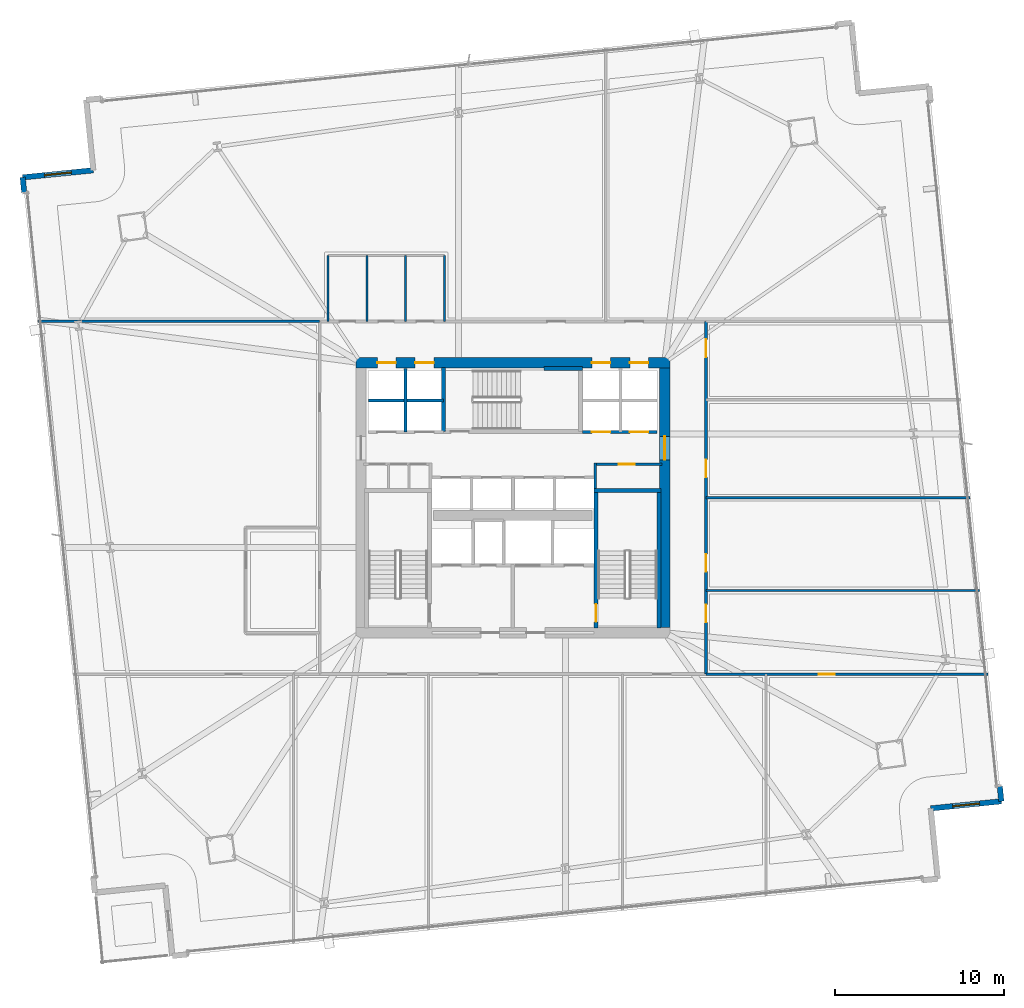
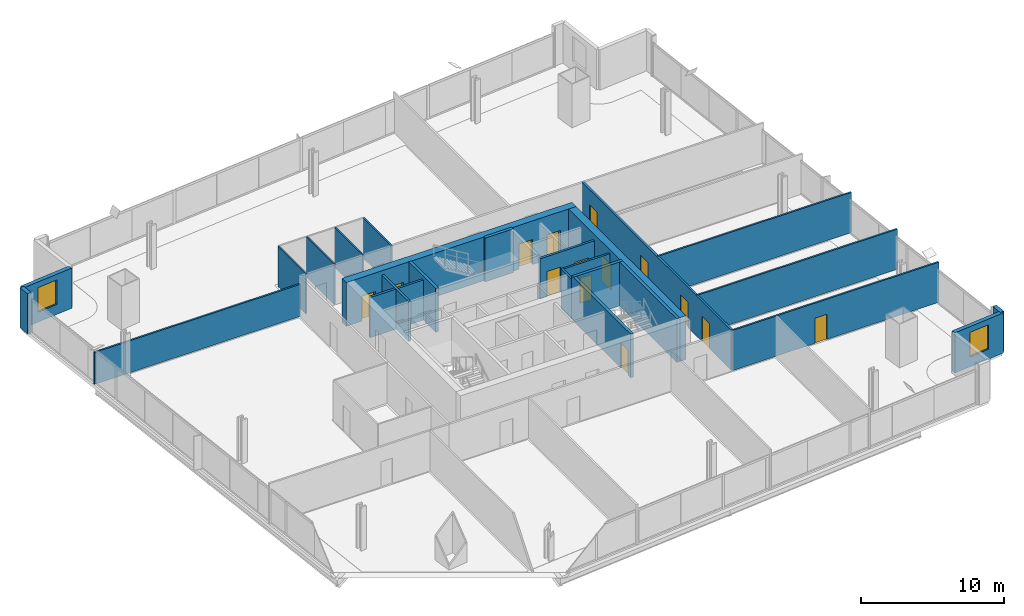
# One storey, part 27 of 33: 25 walls, 14 doors, 2 windows, 16 openings.
"""IFC4 building model written with IfcOpenShell, lengths in metres."""

import ifcopenshell
import ifcopenshell.guid

model = None  # the IFC model being written
_history = None  # IfcOwnerHistory: only IFC2X3 demands one
_inside = {}  # id of a spatial element -> (the spatial element, [elements in it])
_under = {}  # id of a project, library or spatial element -> (it, [spatial elements below it])
_declared = {}  # id of a project -> (the project, [libraries it declares])
_typed = {}  # id of a type object -> (the type object, [elements of that type])
_made_of = {}  # id of a material, layer set ... -> (it, [elements and type objects made of it])


def new_model(schema):
    """Start an empty IFC model of exactly this schema.

    Asked for "IFC4X3", IfcOpenShell would pick the latest addendum, in which some entities
    have other attributes; the version numbers below select the first issue.
    IFC2X3 requires an IfcOwnerHistory on every rooted entity: one is made here for all.
    """
    global model, _history
    if schema == "IFC4X3":
        model = ifcopenshell.file(schema_version=(4, 3, 0, 0))
    else:
        model = ifcopenshell.file(schema=schema)
    _inside.clear()
    _under.clear()
    _declared.clear()
    _typed.clear()
    _made_of.clear()
    _history = None
    if model.schema == "IFC2X3":
        org = make("IfcOrganization", Name="unknown")
        user = make(
            "IfcPersonAndOrganization",
            ThePerson=make("IfcPerson", FamilyName="unknown"),
            TheOrganization=org,
        )
        app = make(
            "IfcApplication",
            ApplicationDeveloper=org,
            Version="unknown",
            ApplicationFullName="unknown",
            ApplicationIdentifier="unknown",
        )
        _history = make(
            "IfcOwnerHistory",
            OwningUser=user,
            OwningApplication=app,
            ChangeAction="ADDED",
            CreationDate=0,
        )
    return model


def make(cls, **values):
    """One entity of the class cls with the attributes given. An attribute that is None is left unset."""
    return model.create_entity(
        cls, **{name: value for name, value in values.items() if value is not None}
    )


def rooted(cls, **values):
    """An entity with a GlobalId (a new one), such as an element, a storey or a relation."""
    return make(cls, GlobalId=ifcopenshell.guid.new(), OwnerHistory=_history, **values)


def si_unit(unit_type, name, prefix=None):
    """IfcSIUnit, for example si_unit("LENGTHUNIT", "METRE", prefix="MILLI")."""
    return make("IfcSIUnit", UnitType=unit_type, Prefix=prefix, Name=name)


def assignment(units):
    """IfcUnitAssignment: the units of a project."""
    return None if units is None else make("IfcUnitAssignment", Units=units)


def point(xyz):
    """IfcCartesianPoint."""
    return None if xyz is None else make("IfcCartesianPoint", Coordinates=xyz)


def direction(xyz):
    """IfcDirection."""
    return None if xyz is None else make("IfcDirection", DirectionRatios=xyz)


def frame(location, z_axis=None, x_axis=None):
    """IfcAxis2Placement3D, a coordinate frame: its origin and axes. An axis left out is left unset."""
    return make(
        "IfcAxis2Placement3D",
        Location=point(location),
        Axis=direction(z_axis),
        RefDirection=direction(x_axis),
    )


def frame_2d(location, x_axis=None):
    """IfcAxis2Placement2D, a coordinate frame in the plane: its origin and x axis."""
    return make(
        "IfcAxis2Placement2D", Location=point(location), RefDirection=direction(x_axis)
    )


def origin():
    """The frame at (0, 0, 0) with its axes left unset."""
    return frame((0.0, 0.0, 0.0))


def place(relative_to, where):
    """IfcLocalPlacement: puts the frame where relative to a parent placement (None: the world)."""
    return make(
        "IfcLocalPlacement", PlacementRelTo=relative_to, RelativePlacement=where
    )


def context(
    kind, dimensions, precision=None, world=None, true_north=None, identifier=None
):
    """IfcGeometricRepresentationContext, for example the 3D "Model" context."""
    return make(
        "IfcGeometricRepresentationContext",
        ContextIdentifier=identifier,
        ContextType=kind,
        CoordinateSpaceDimension=dimensions,
        Precision=precision,
        WorldCoordinateSystem=world,
        TrueNorth=true_north,
    )


def subcontext(parent, identifier, kind, view, scale=None):
    """IfcGeometricRepresentationSubContext, for example "Body" below "Model"."""
    return make(
        "IfcGeometricRepresentationSubContext",
        ContextIdentifier=identifier,
        ContextType=kind,
        ParentContext=parent,
        TargetScale=scale,
        TargetView=view,
    )


def project(units=None, contexts=None):
    """IfcProject with its units and contexts."""
    return rooted(
        "IfcProject",
        Name="project",
        RepresentationContexts=contexts,
        UnitsInContext=assignment(units),
    )


def spatial(cls, under=None, at=None, **own):
    """A site, building, storey or space (cls), placed at a placement, below another one or the project."""
    s = rooted(cls, ObjectPlacement=at, **own)
    if under is not None:
        _under.setdefault(under.id(), (under, []))[1].append(s)
    return s


def profile(cls, at=None, kind="AREA", **sizes):
    """A parametric profile (cls). Its sizes go by their IFC names, for example OverallWidth=200.0."""
    return make(cls, ProfileType=kind, Position=at, **sizes)


def rectangle(**sizes):
    """IfcRectangleProfileDef."""
    return profile("IfcRectangleProfileDef", **sizes)


def extrude(swept, where, along, depth):
    """IfcExtrudedAreaSolid: the profile swept, set in the frame where, extruded along a direction by depth."""
    return make(
        "IfcExtrudedAreaSolid",
        SweptArea=swept,
        Position=where,
        ExtrudedDirection=direction(along),
        Depth=depth,
    )


def shape(context_of_items, identifier, shape_type, items):
    """IfcShapeRepresentation: the items that make up one representation, for example the "Body"."""
    return make(
        "IfcShapeRepresentation",
        ContextOfItems=context_of_items,
        RepresentationIdentifier=identifier,
        RepresentationType=shape_type,
        Items=items,
    )


def material(Name=None, Category=None):
    """IfcMaterial."""
    return make("IfcMaterial", Name=Name, Category=Category)


def layer(
    of_material, thickness, ventilated=None, Name=None, Category=None, Priority=None
):
    """IfcMaterialLayer: one layer of a wall or slab, of a material (None: an air gap)."""
    return make(
        "IfcMaterialLayer",
        Material=of_material,
        LayerThickness=thickness,
        IsVentilated=ventilated,
        Name=Name,
        Category=Category,
        Priority=Priority,
    )


def layer_set(layers, Name=None):
    """IfcMaterialLayerSet."""
    return make("IfcMaterialLayerSet", MaterialLayers=layers, LayerSetName=Name)


def made_of(thing, what):
    """Note that an element or type object is made of a material, layer set ...; save() writes the relation."""
    if what is not None:
        _made_of.setdefault(what.id(), (what, []))[1].append(thing)
    return thing


def type_object(cls, material=None, **own):
    """A type object (cls), such as IfcWallType, which elements share."""
    return made_of(rooted(cls, **own), material)


def element(
    cls,
    number,
    at=None,
    inside=None,
    cuts=None,
    type_object=None,
    material=None,
    context=None,
    identifier="Body",
    shape_type=None,
    held_by="IfcProductDefinitionShape",
    body=None,
    shapes=None,
    **own,
):
    """One element of the class cls, such as IfcWall. Its Tag is "e" and its number.

    at: its placement. inside: the storey or other place that contains it. cuts: it is an
    opening in that element (IfcRelVoidsElement). A single representation is given by context,
    identifier, shape_type and body (its items); several are given by shapes. held_by: the class
    of the entity that holds the representations. save() writes the other relations.
    """
    e = rooted(cls, Tag="e%d" % number, ObjectPlacement=at, **own)
    if body is not None:
        shapes = [shape(context, identifier, shape_type, body)]
    if shapes is not None:
        e.Representation = make(held_by, Representations=shapes)
    if inside is not None:
        _inside.setdefault(inside.id(), (inside, []))[1].append(e)
    if cuts is not None:
        rooted(
            "IfcRelVoidsElement", RelatingBuildingElement=cuts, RelatedOpeningElement=e
        )
    if type_object is not None:
        _typed.setdefault(type_object.id(), (type_object, []))[1].append(e)
    return made_of(e, material)


def fill(opening, filler):
    """IfcRelFillsElement: the door or window that sits in an opening."""
    return rooted(
        "IfcRelFillsElement",
        RelatingOpeningElement=opening,
        RelatedBuildingElement=filler,
    )


def aggregate(whole, parts):
    """IfcRelAggregates: a whole, such as a stair, and the parts it consists of."""
    return rooted("IfcRelAggregates", RelatingObject=whole, RelatedObjects=parts)


def save(model, path):
    """Write the relations noted so far, then the file.

    IfcRelAggregates (storeys below a building ...), IfcRelContainedInSpatialStructure (elements
    in a storey), IfcRelDefinesByType, IfcRelAssociatesMaterial and IfcRelDeclares: one each for
    every whole, place, type object, material and project.
    """
    for whole, parts in _under.values():
        aggregate(whole, parts)
    for where, things in _inside.values():
        rooted(
            "IfcRelContainedInSpatialStructure",
            RelatedElements=things,
            RelatingStructure=where,
        )
    for kind, things in _typed.values():
        rooted("IfcRelDefinesByType", RelatedObjects=things, RelatingType=kind)
    for what, things in _made_of.values():
        rooted("IfcRelAssociatesMaterial", RelatedObjects=things, RelatingMaterial=what)
    for by, libraries in _declared.values():
        rooted("IfcRelDeclares", RelatingContext=by, RelatedDefinitions=libraries)
    model.write(path)


model = new_model("IFC4")

# Units and contexts
model_context = context("Model", 3, precision=1e-05, world=origin(), true_north=direction((0.0, 1.0)))
body_context = subcontext(model_context, "Body", "Model", "MODEL_VIEW")
ifc_project = project(units=[si_unit("LENGTHUNIT", "METRE"), si_unit("AREAUNIT", "SQUARE_METRE"), si_unit("VOLUMEUNIT", "CUBIC_METRE"), si_unit("PLANEANGLEUNIT", "RADIAN"), si_unit("MASSUNIT", "GRAM", prefix="KILO")], contexts=[model_context])

# Site, building, storey
site_placement = place(None, origin())
site = spatial("IfcSite", under=ifc_project, at=site_placement, CompositionType="ELEMENT")
building_placement = place(site_placement, origin())
building = spatial("IfcBuilding", under=site, at=building_placement, Name="Haldenkirk Collegiate Tower", CompositionType="ELEMENT")
storey_placement = place(building_placement, frame((0.0, 0.0, 47.699951171875)))
storey = spatial("IfcBuildingStorey", under=building, at=storey_placement, Name="L10", CompositionType="ELEMENT", Elevation=47.699951171875)

# Wall, openings, doors
ifc_material_1 = material(Name="Concrete f'c 70 MPa", Category="concrete")
ifc_layer_1 = layer(ifc_material_1, 0.60009765625)
ifc_layer_set_1 = layer_set([ifc_layer_1], Name="Concrete f'c 70 MPa")
wall_type_1 = type_object("IfcWallType", Name="WL-CORE-600", PredefinedType="SHEAR", material=ifc_layer_set_1)
wall_1_placement = place(storey_placement, frame((26.699951171875, 34.0, 0.0), z_axis=(0.0, 0.0, 1.0), x_axis=(1.0, 0.0, 0.0)))
wall_1 = element("IfcWall", 1, at=wall_1_placement, inside=storey, type_object=wall_type_1, Name="L10 central core shear wall N", PredefinedType="SHEAR", context=body_context, shape_type="SweptSolid", body=[
    extrude(rectangle(XDim=18.60009765625, YDim=0.60009765625, at=frame_2d((9.300048828125, 0.0))), origin(), (0.0, 0.0, 1.0), 3.75),
])
opening_1_placement = place(wall_1_placement, frame((1.264892578125, 0.0, 0.0)))
opening_1 = element("IfcOpeningElement", 2, at=opening_1_placement, cuts=wall_1, Name="Opening LD-11", PredefinedType="OPENING", context=body_context, shape_type="SweptSolid", body=[
    extrude(rectangle(XDim=1.10009765625, YDim=2.14990234375, at=frame_2d((0.550048828125, 1.074951171875))), frame((0.0, 0.31005859375, 0.0), z_axis=(0.0, -1.0, 0.0), x_axis=(1.0, 0.0, 0.0)), (0.0, 0.0, 1.0), 0.6201171875),
])
opening_2_placement = place(wall_1_placement, frame((3.514892578125, 0.0, 0.0)))
opening_2 = element("IfcOpeningElement", 3, at=opening_2_placement, cuts=wall_1, Name="Opening LD-11", PredefinedType="OPENING", context=body_context, shape_type="SweptSolid", body=[
    extrude(rectangle(XDim=1.10009765625, YDim=2.14990234375, at=frame_2d((0.550048828125, 1.074951171875))), frame((0.0, 0.31005859375, 0.0), z_axis=(0.0, -1.0, 0.0), x_axis=(1.0, 0.0, 0.0)), (0.0, 0.0, 1.0), 0.6201171875),
])
opening_3_placement = place(wall_1_placement, frame((13.985107421875, 0.0, 0.0)))
opening_3 = element("IfcOpeningElement", 4, at=opening_3_placement, cuts=wall_1, Name="Opening LD-11", PredefinedType="OPENING", context=body_context, shape_type="SweptSolid", body=[
    extrude(rectangle(XDim=1.10009765625, YDim=2.14990234375, at=frame_2d((0.550048828125, 1.074951171875))), frame((0.0, 0.31005859375, 0.0), z_axis=(0.0, -1.0, 0.0), x_axis=(1.0, 0.0, 0.0)), (0.0, 0.0, 1.0), 0.6201171875),
])
opening_4_placement = place(wall_1_placement, frame((16.235107421875, 0.0, 0.0)))
opening_4 = element("IfcOpeningElement", 5, at=opening_4_placement, cuts=wall_1, Name="Opening LD-11", PredefinedType="OPENING", context=body_context, shape_type="SweptSolid", body=[
    extrude(rectangle(XDim=1.10009765625, YDim=2.14990234375, at=frame_2d((0.550048828125, 1.074951171875))), frame((0.0, 0.31005859375, 0.0), z_axis=(0.0, -1.0, 0.0), x_axis=(1.0, 0.0, 0.0)), (0.0, 0.0, 1.0), 0.6201171875),
])
ifc_material_2 = material(Name="Brushed architectural stainless steel", Category="steel")
ifc_layer_2 = layer(ifc_material_2, 0.06005859375)
ifc_layer_set_2 = layer_set([ifc_layer_2], Name="Brushed architectural stainless steel")
door_type_1 = type_object("IfcDoorType", Name="LD-PASS-1100", OperationType="NOTDEFINED", PredefinedType="DOOR", material=ifc_layer_set_2)
door_1_placement = place(opening_1_placement, origin())
door_1 = element("IfcDoor", 6, at=door_1_placement, inside=storey, type_object=door_type_1, Name="L10 Elevator PL3 sliding landing door", OperationType="SLIDING_TO_LEFT", OverallHeight=2.14990234375, OverallWidth=1.10009765625, PredefinedType="DOOR", context=body_context, shape_type="SweptSolid", body=[
    extrude(rectangle(XDim=1.10009765625, YDim=2.14990234375, at=frame_2d((0.550048828125, 1.074951171875))), frame((0.0, 0.02490234375, 0.0), z_axis=(0.0, -1.0, 0.0), x_axis=(1.0, 0.0, 0.0)), (0.0, 0.0, 1.0), 0.050048828125),
])
fill(opening_1, door_1)
door_2_placement = place(opening_2_placement, origin())
door_2 = element("IfcDoor", 7, at=door_2_placement, inside=storey, type_object=door_type_1, Name="L10 Elevator PL4 sliding landing door", OperationType="SLIDING_TO_LEFT", OverallHeight=2.14990234375, OverallWidth=1.10009765625, PredefinedType="DOOR", context=body_context, shape_type="SweptSolid", body=[
    extrude(rectangle(XDim=1.10009765625, YDim=2.14990234375, at=frame_2d((0.550048828125, 1.074951171875))), frame((0.0, 0.02490234375, 0.0), z_axis=(0.0, -1.0, 0.0), x_axis=(1.0, 0.0, 0.0)), (0.0, 0.0, 1.0), 0.050048828125),
])
fill(opening_2, door_2)
door_3_placement = place(opening_3_placement, origin())
door_3 = element("IfcDoor", 8, at=door_3_placement, inside=storey, type_object=door_type_1, Name="L10 Elevator PM3 sliding landing door", OperationType="SLIDING_TO_LEFT", OverallHeight=2.14990234375, OverallWidth=1.10009765625, PredefinedType="DOOR", context=body_context, shape_type="SweptSolid", body=[
    extrude(rectangle(XDim=1.10009765625, YDim=2.14990234375, at=frame_2d((0.550048828125, 1.074951171875))), frame((0.0, 0.02490234375, 0.0), z_axis=(0.0, -1.0, 0.0), x_axis=(1.0, 0.0, 0.0)), (0.0, 0.0, 1.0), 0.050048828125),
])
fill(opening_3, door_3)
door_4_placement = place(opening_4_placement, origin())
door_4 = element("IfcDoor", 9, at=door_4_placement, inside=storey, type_object=door_type_1, Name="L10 Elevator PM4 sliding landing door", OperationType="SLIDING_TO_LEFT", OverallHeight=2.14990234375, OverallWidth=1.10009765625, PredefinedType="DOOR", context=body_context, shape_type="SweptSolid", body=[
    extrude(rectangle(XDim=1.10009765625, YDim=2.14990234375, at=frame_2d((0.550048828125, 1.074951171875))), frame((0.0, 0.02490234375, 0.0), z_axis=(0.0, -1.0, 0.0), x_axis=(1.0, 0.0, 0.0)), (0.0, 0.0, 1.0), 0.050048828125),
])
fill(opening_4, door_4)

# Wall, opening, door
wall_2_placement = place(storey_placement, frame((45.0, 18.300048828125, 0.0), z_axis=(0.0, 0.0, 1.0), x_axis=(0.0, 1.0, 0.0)))
wall_2 = element("IfcWall", 10, at=wall_2_placement, inside=storey, type_object=wall_type_1, Name="L10 central core shear wall E", PredefinedType="SHEAR", context=body_context, shape_type="SweptSolid", body=[
    extrude(rectangle(XDim=15.39990234375, YDim=0.60009765625, at=frame_2d((7.699951171875, 0.0))), origin(), (0.0, 0.0, 1.0), 3.75),
])
opening_5_placement = place(wall_2_placement, frame((9.93994140625, 0.0, 0.0)))
opening_5 = element("IfcOpeningElement", 11, at=opening_5_placement, cuts=wall_2, Name="Opening D-03", PredefinedType="OPENING", context=body_context, shape_type="SweptSolid", body=[
    extrude(rectangle(XDim=1.39990234375, YDim=2.199951171875, at=frame_2d((0.699951171875, 1.10009765625))), frame((0.0, 0.31005859375, 0.0), z_axis=(0.0, -1.0, 0.0), x_axis=(1.0, 0.0, 0.0)), (0.0, 0.0, 1.0), 0.6201171875),
])
ifc_material_3 = material(Name="Galvanized fire-rated hollow steel door", Category="steel")
ifc_layer_3 = layer(ifc_material_3, 0.06005859375)
ifc_layer_set_3 = layer_set([ifc_layer_3], Name="Galvanized fire-rated hollow steel door")
door_type_2 = type_object("IfcDoorType", Name="DR-LOBBY-FD90-1400", OperationType="NOTDEFINED", PredefinedType="DOOR", material=ifc_layer_set_3)
door_5_placement = place(opening_5_placement, origin())
door_5 = element("IfcDoor", 12, at=door_5_placement, inside=storey, type_object=door_type_2, Name="L10 east lift lobby portal", OperationType="DOUBLE_DOOR_SINGLE_SWING", OverallHeight=2.199951171875, OverallWidth=1.39990234375, PredefinedType="DOOR", context=body_context, shape_type="SweptSolid", body=[
    extrude(rectangle(XDim=1.39990234375, YDim=2.199951171875, at=frame_2d((0.699951171875, 1.10009765625))), frame((0.0, 0.02490234375, 0.0), z_axis=(0.0, -1.0, 0.0), x_axis=(1.0, 0.0, 0.0)), (0.0, 0.0, 1.0), 0.050048828125),
])
fill(opening_5, door_5)

# Wall, opening, window
ifc_material_4 = material(Name="Precast concrete f'c 40 MPa", Category="concrete")
ifc_layer_4 = layer(ifc_material_4, 0.320068359375)
ifc_layer_set_4 = layer_set([ifc_layer_4], Name="Precast concrete f'c 40 MPa")
wall_type_2 = type_object("IfcWallType", Name="WL-EXT-TWR-320", PredefinedType="STANDARD", material=ifc_layer_set_4)
wall_3_placement = place(storey_placement, frame((64.947998046875, 8.009765625, 0.0), z_axis=(0.0, 0.0, 1.0), x_axis=(-0.994965565847, -0.10021737763, 0.0)))
wall_3 = element("IfcWall", 13, at=wall_3_placement, inside=storey, type_object=wall_type_2, Name="L10 bronze precast notch wall 03", PredefinedType="STANDARD", context=body_context, shape_type="SweptSolid", body=[
    extrude(rectangle(XDim=4.199951171875, YDim=0.320068359375, at=frame_2d((2.10009765625, 0.0))), origin(), (0.0, 0.0, 1.0), 3.43994140625),
])
opening_6_placement = place(wall_3_placement, frame((1.300048828125, 0.0, 0.85009765625)))
opening_6 = element("IfcOpeningElement", 14, at=opening_6_placement, cuts=wall_3, Name="Opening W-03", PredefinedType="OPENING", context=body_context, shape_type="SweptSolid", body=[
    extrude(rectangle(XDim=1.60009765625, YDim=2.10009765625, at=frame_2d((0.800048828125, 1.050048828125))), frame((0.0, 0.169921875, 0.0), z_axis=(0.0, -1.0, 0.0), x_axis=(1.0, 0.0, 0.0)), (0.0, 0.0, 1.0), 0.340087890625),
])
ifc_material_5 = material(Name="Low-E argon triple insulating glass", Category="glass")
ifc_layer_5 = layer(ifc_material_5, 0.090087890625)
ifc_layer_set_5 = layer_set([ifc_layer_5], Name="Low-E argon triple insulating glass")
window_type = type_object("IfcWindowType", Name="WN-Z1-1600X2100", PartitioningType="SINGLE_PANEL", PredefinedType="WINDOW", material=ifc_layer_set_5)
window_1_placement = place(opening_6_placement, origin())
window_1 = element("IfcWindow", 15, at=window_1_placement, inside=storey, type_object=window_type, Name="L10 precast-frame academic window 2", OverallHeight=2.10009765625, OverallWidth=1.60009765625, PartitioningType="SINGLE_PANEL", PredefinedType="WINDOW", context=body_context, shape_type="SweptSolid", body=[
    extrude(rectangle(XDim=1.60009765625, YDim=2.10009765625, at=frame_2d((0.800048828125, 1.050048828125))), frame((0.0, 0.030029296875, 0.0), z_axis=(0.0, -1.0, 0.0), x_axis=(1.0, 0.0, 0.0)), (0.0, 0.0, 1.0), 0.06005859375),
])
fill(opening_6, window_1)

# Wall
wall_4_placement = place(storey_placement, frame((64.85791015625, 8.9052734375, 0.0), z_axis=(0.0, 0.0, 1.0), x_axis=(0.100094562617, -0.994977928667, 0.0)))
element("IfcWall", 16, at=wall_4_placement, inside=storey, type_object=wall_type_2, Name="L10 precast corner pier ER", PredefinedType="STANDARD", context=body_context, shape_type="SweptSolid", body=[
    extrude(rectangle(XDim=0.900146484375, YDim=0.320068359375, at=frame_2d((0.4501953125, 0.0))), origin(), (0.0, 0.0, 1.0), 3.43994140625),
])

# Wall, opening, window
wall_5_placement = place(storey_placement, frame((6.951904296875, 44.985107421875, 0.0), z_axis=(0.0, 0.0, 1.0), x_axis=(0.994965565847, 0.10021737763, 0.0)))
wall_5 = element("IfcWall", 17, at=wall_5_placement, inside=storey, type_object=wall_type_2, Name="L10 bronze precast notch wall 09", PredefinedType="STANDARD", context=body_context, shape_type="SweptSolid", body=[
    extrude(rectangle(XDim=4.199951171875, YDim=0.320068359375, at=frame_2d((2.10009765625, 0.0))), origin(), (0.0, 0.0, 1.0), 3.43994140625),
])
opening_7_placement = place(wall_5_placement, frame((1.300048828125, 0.0, 0.85009765625)))
opening_7 = element("IfcOpeningElement", 18, at=opening_7_placement, cuts=wall_5, Name="Opening W-03", PredefinedType="OPENING", context=body_context, shape_type="SweptSolid", body=[
    extrude(rectangle(XDim=1.60009765625, YDim=2.10009765625, at=frame_2d((0.800048828125, 1.050048828125))), frame((0.0, 0.169921875, 0.0), z_axis=(0.0, -1.0, 0.0), x_axis=(1.0, 0.0, 0.0)), (0.0, 0.0, 1.0), 0.340087890625),
])
window_2_placement = place(opening_7_placement, origin())
window_2 = element("IfcWindow", 19, at=window_2_placement, inside=storey, type_object=window_type, Name="L10 precast-frame academic window 8", OverallHeight=2.10009765625, OverallWidth=1.60009765625, PartitioningType="SINGLE_PANEL", PredefinedType="WINDOW", context=body_context, shape_type="SweptSolid", body=[
    extrude(rectangle(XDim=1.60009765625, YDim=2.10009765625, at=frame_2d((0.800048828125, 1.050048828125))), frame((0.0, 0.030029296875, 0.0), z_axis=(0.0, -1.0, 0.0), x_axis=(1.0, 0.0, 0.0)), (0.0, 0.0, 1.0), 0.06005859375),
])
fill(opening_7, window_2)

# Wall
wall_6_placement = place(storey_placement, frame((7.0419921875, 44.089599609375, 0.0), z_axis=(0.0, 0.0, 1.0), x_axis=(-0.100094562617, 0.994977928667, 0.0)))
element("IfcWall", 20, at=wall_6_placement, inside=storey, type_object=wall_type_2, Name="L10 precast corner pier WR", PredefinedType="STANDARD", context=body_context, shape_type="SweptSolid", body=[
    extrude(rectangle(XDim=0.900146484375, YDim=0.320068359375, at=frame_2d((0.4501953125, 0.0))), origin(), (0.0, 0.0, 1.0), 3.43994140625),
])

# Wall, opening, door
ifc_material_6 = material(Name="Acoustic fire-rated gypsum partition", Category="concrete")
ifc_layer_6 = layer(ifc_material_6, 0.159912109375)
ifc_layer_set_6 = layer_set([ifc_layer_6], Name="Acoustic fire-rated gypsum partition")
wall_type_3 = type_object("IfcWallType", Name="WL-INT-CORR-160", PredefinedType="PARTITIONING", material=ifc_layer_set_6)
wall_7_placement = place(storey_placement, frame((40.800048828125, 27.97998046875, 0.0), z_axis=(0.0, 0.0, 1.0), x_axis=(1.0, 0.0, 0.0)))
wall_7 = element("IfcWall", 21, at=wall_7_placement, inside=storey, type_object=wall_type_3, Name="L10 interior partition IW-L10-VCSE-N", PredefinedType="PARTITIONING", context=body_context, shape_type="SweptSolid", body=[
    extrude(rectangle(XDim=4.050048828125, YDim=0.159912109375, at=frame_2d((2.02490234375, 0.0))), origin(), (0.0, 0.0, 1.0), 3.43994140625),
])
opening_8_placement = place(wall_7_placement, frame((1.47509765625, 0.0, 0.0)))
opening_8 = element("IfcOpeningElement", 22, at=opening_8_placement, cuts=wall_7, Name="Opening D-10", PredefinedType="OPENING", context=body_context, shape_type="SweptSolid", body=[
    extrude(rectangle(XDim=0.949951171875, YDim=2.14990234375, at=frame_2d((0.47509765625, 1.074951171875))), frame((0.0, 0.08984375, 0.0), z_axis=(0.0, -1.0, 0.0), x_axis=(1.0, 0.0, 0.0)), (0.0, 0.0, 1.0), 0.179931640625),
])
ifc_material_7 = material(Name="Solid-core architectural oak fire door", Category="wood")
ifc_layer_7 = layer(ifc_material_7, 0.06005859375)
ifc_layer_set_7 = layer_set([ifc_layer_7], Name="Solid-core architectural oak fire door")
door_type_3 = type_object("IfcDoorType", Name="DR-INT-FD60-950", OperationType="NOTDEFINED", PredefinedType="DOOR", material=ifc_layer_set_7)
door_6_placement = place(opening_8_placement, origin())
door_6 = element("IfcDoor", 23, at=door_6_placement, inside=storey, type_object=door_type_3, Name="L10 core archive vault door", OperationType="SINGLE_SWING_RIGHT", OverallHeight=2.14990234375, OverallWidth=0.949951171875, PredefinedType="DOOR", context=body_context, shape_type="SweptSolid", body=[
    extrude(rectangle(XDim=0.949951171875, YDim=2.14990234375, at=frame_2d((0.47509765625, 1.074951171875))), frame((0.0, 0.02490234375, 0.0), z_axis=(0.0, -1.0, 0.0), x_axis=(1.0, 0.0, 0.0)), (0.0, 0.0, 1.0), 0.050048828125),
])
fill(opening_8, door_6)

# Wall
wall_8_placement = place(storey_placement, frame((40.8798828125, 26.5400390625, 0.0), z_axis=(0.0, 0.0, 1.0), x_axis=(0.0, 1.0, 0.0)))
element("IfcWall", 24, at=wall_8_placement, inside=storey, type_object=wall_type_3, Name="L10 interior partition IW-L10-VCSE-W", PredefinedType="PARTITIONING", context=body_context, shape_type="SweptSolid", body=[
    extrude(rectangle(XDim=1.510009765625, YDim=0.159912109375, at=frame_2d((0.7548828125, 0.0))), origin(), (0.0, 0.0, 1.0), 3.43994140625),
])

# Wall, openings, doors
wall_9_placement = place(storey_placement, frame((47.449951171875, 15.550048828125, 0.0), z_axis=(0.0, 0.0, 1.0), x_axis=(0.0, 1.0, 0.0)))
wall_9 = element("IfcWall", 25, at=wall_9_placement, inside=storey, type_object=wall_type_3, Name="L10 interior partition IW-L10-CE", PredefinedType="PARTITIONING", context=body_context, shape_type="SweptSolid", body=[
    extrude(rectangle(XDim=20.89990234375, YDim=0.159912109375, at=frame_2d((10.449951171875, 0.0))), origin(), (0.0, 0.0, 1.0), 3.43994140625),
])
opening_9_placement = place(wall_9_placement, frame((3.06689453125, 0.0, 0.0)))
opening_9 = element("IfcOpeningElement", 26, at=opening_9_placement, cuts=wall_9, Name="Opening D-09", PredefinedType="OPENING", context=body_context, shape_type="SweptSolid", body=[
    extrude(rectangle(XDim=1.050048828125, YDim=2.14990234375, at=frame_2d((0.52490234375, 1.074951171875))), frame((0.0, 0.08984375, 0.0), z_axis=(0.0, -1.0, 0.0), x_axis=(1.0, 0.0, 0.0)), (0.0, 0.0, 1.0), 0.179931640625),
])
opening_10_placement = place(wall_9_placement, frame((6.06494140625, 0.0, 0.0)))
opening_10 = element("IfcOpeningElement", 27, at=opening_10_placement, cuts=wall_9, Name="Opening D-09", PredefinedType="OPENING", context=body_context, shape_type="SweptSolid", body=[
    extrude(rectangle(XDim=1.050048828125, YDim=2.14990234375, at=frame_2d((0.52490234375, 1.074951171875))), frame((0.0, 0.08984375, 0.0), z_axis=(0.0, -1.0, 0.0), x_axis=(1.0, 0.0, 0.0)), (0.0, 0.0, 1.0), 0.179931640625),
])
opening_11_placement = place(wall_9_placement, frame((11.660888671875, 0.0, 0.0)))
opening_11 = element("IfcOpeningElement", 28, at=opening_11_placement, cuts=wall_9, Name="Opening D-09", PredefinedType="OPENING", context=body_context, shape_type="SweptSolid", body=[
    extrude(rectangle(XDim=1.050048828125, YDim=2.14990234375, at=frame_2d((0.52490234375, 1.074951171875))), frame((0.0, 0.08984375, 0.0), z_axis=(0.0, -1.0, 0.0), x_axis=(1.0, 0.0, 0.0)), (0.0, 0.0, 1.0), 0.179931640625),
])
opening_12_placement = place(wall_9_placement, frame((18.781005859375, 0.0, 0.0)))
opening_12 = element("IfcOpeningElement", 29, at=opening_12_placement, cuts=wall_9, Name="Opening D-09", PredefinedType="OPENING", context=body_context, shape_type="SweptSolid", body=[
    extrude(rectangle(XDim=1.050048828125, YDim=2.14990234375, at=frame_2d((0.52490234375, 1.074951171875))), frame((0.0, 0.08984375, 0.0), z_axis=(0.0, -1.0, 0.0), x_axis=(1.0, 0.0, 0.0)), (0.0, 0.0, 1.0), 0.179931640625),
])
ifc_layer_8 = layer(ifc_material_7, 0.06005859375)
ifc_layer_set_8 = layer_set([ifc_layer_8], Name="Solid-core architectural oak fire door")
door_type_4 = type_object("IfcDoorType", Name="DR-INT-FD60-1050", OperationType="NOTDEFINED", PredefinedType="DOOR", material=ifc_layer_set_8)
door_7_placement = place(opening_9_placement, origin())
door_7 = element("IfcDoor", 30, at=door_7_placement, inside=storey, type_object=door_type_4, Name="L10 Robotics Fabrication Lab 9 door", OperationType="SINGLE_SWING_RIGHT", OverallHeight=2.14990234375, OverallWidth=1.050048828125, PredefinedType="DOOR", context=body_context, shape_type="SweptSolid", body=[
    extrude(rectangle(XDim=1.050048828125, YDim=2.14990234375, at=frame_2d((0.52490234375, 1.074951171875))), frame((0.0, 0.02490234375, 0.0), z_axis=(0.0, -1.0, 0.0), x_axis=(1.0, 0.0, 0.0)), (0.0, 0.0, 1.0), 0.050048828125),
])
fill(opening_9, door_7)
door_8_placement = place(opening_10_placement, origin())
door_8 = element("IfcDoor", 31, at=door_8_placement, inside=storey, type_object=door_type_4, Name="L10 Environmental Lab 10 door", OperationType="SINGLE_SWING_LEFT", OverallHeight=2.14990234375, OverallWidth=1.050048828125, PredefinedType="DOOR", context=body_context, shape_type="SweptSolid", body=[
    extrude(rectangle(XDim=1.050048828125, YDim=2.14990234375, at=frame_2d((0.52490234375, 1.074951171875))), frame((0.0, 0.02490234375, 0.0), z_axis=(0.0, -1.0, 0.0), x_axis=(1.0, 0.0, 0.0)), (0.0, 0.0, 1.0), 0.050048828125),
])
fill(opening_10, door_8)
door_9_placement = place(opening_11_placement, origin())
door_9 = element("IfcDoor", 32, at=door_9_placement, inside=storey, type_object=door_type_4, Name="L10 Optics Research Laboratory 11 door", OperationType="SINGLE_SWING_RIGHT", OverallHeight=2.14990234375, OverallWidth=1.050048828125, PredefinedType="DOOR", context=body_context, shape_type="SweptSolid", body=[
    extrude(rectangle(XDim=1.050048828125, YDim=2.14990234375, at=frame_2d((0.52490234375, 1.074951171875))), frame((0.0, 0.02490234375, 0.0), z_axis=(0.0, -1.0, 0.0), x_axis=(1.0, 0.0, 0.0)), (0.0, 0.0, 1.0), 0.050048828125),
])
fill(opening_11, door_9)
door_10_placement = place(opening_12_placement, origin())
door_10 = element("IfcDoor", 33, at=door_10_placement, inside=storey, type_object=door_type_4, Name="L10 Bioengineering Laboratory 12 door", OperationType="SINGLE_SWING_LEFT", OverallHeight=2.14990234375, OverallWidth=1.050048828125, PredefinedType="DOOR", context=body_context, shape_type="SweptSolid", body=[
    extrude(rectangle(XDim=1.050048828125, YDim=2.14990234375, at=frame_2d((0.52490234375, 1.074951171875))), frame((0.0, 0.02490234375, 0.0), z_axis=(0.0, -1.0, 0.0), x_axis=(1.0, 0.0, 0.0)), (0.0, 0.0, 1.0), 0.050048828125),
])
fill(opening_12, door_10)

# Wall
ifc_layer_9 = layer(ifc_material_6, 0.139892578125)
ifc_layer_set_9 = layer_set([ifc_layer_9], Name="Acoustic fire-rated gypsum partition")
wall_type_4 = type_object("IfcWallType", Name="WL-INT-DIV-140", PredefinedType="PARTITIONING", material=ifc_layer_set_9)
wall_10_placement = place(storey_placement, frame((7.8515625, 36.449951171875, 0.0), z_axis=(0.0, 0.0, 1.0), x_axis=(1.0, 0.0, 0.0)))
element("IfcWall", 34, at=wall_10_placement, inside=storey, type_object=wall_type_4, Name="L10 interior partition IW-L10-BWN", PredefinedType="PARTITIONING", context=body_context, shape_type="SweptSolid", body=[
    extrude(rectangle(XDim=16.698486328125, YDim=0.139892578125, at=frame_2d((8.34912109375, 0.0))), origin(), (0.0, 0.0, 1.0), 2.739013671875),
])

# Wall, opening, door
wall_11_placement = place(storey_placement, frame((47.449951171875, 15.550048828125, 0.0), z_axis=(0.0, 0.0, 1.0), x_axis=(1.0, 0.0, 0.0)))
wall_11 = element("IfcWall", 35, at=wall_11_placement, inside=storey, type_object=wall_type_4, Name="L10 interior partition IW-L10-BES", PredefinedType="PARTITIONING", context=body_context, shape_type="SweptSolid", body=[
    extrude(rectangle(XDim=16.69873046875, YDim=0.139892578125, at=frame_2d((8.349365234375, 0.0))), origin(), (0.0, 0.0, 1.0), 3.43994140625),
])
opening_13_placement = place(wall_11_placement, frame((6.6669921875, 0.0, 0.0)))
opening_13 = element("IfcOpeningElement", 36, at=opening_13_placement, cuts=wall_11, Name="Opening D-12", PredefinedType="OPENING", context=body_context, shape_type="SweptSolid", body=[
    extrude(rectangle(XDim=0.949951171875, YDim=2.14990234375, at=frame_2d((0.47509765625, 1.074951171875))), frame((0.0, 0.079833984375, 0.0), z_axis=(0.0, -1.0, 0.0), x_axis=(1.0, 0.0, 0.0)), (0.0, 0.0, 1.0), 0.159912109375),
])
ifc_layer_10 = layer(ifc_material_7, 0.06005859375)
ifc_layer_set_10 = layer_set([ifc_layer_10], Name="Solid-core architectural oak fire door")
door_type_5 = type_object("IfcDoorType", Name="DR-INT-STD-950", OperationType="NOTDEFINED", PredefinedType="DOOR", material=ifc_layer_set_10)
door_11_placement = place(opening_13_placement, origin())
door_11 = element("IfcDoor", 37, at=door_11_placement, inside=storey, type_object=door_type_5, Name="L10 Optics Research Laboratory 5 door", OperationType="SINGLE_SWING_RIGHT", OverallHeight=2.14990234375, OverallWidth=0.949951171875, PredefinedType="DOOR", context=body_context, shape_type="SweptSolid", body=[
    extrude(rectangle(XDim=0.949951171875, YDim=2.14990234375, at=frame_2d((0.47509765625, 1.074951171875))), frame((0.0, 0.02490234375, 0.0), z_axis=(0.0, -1.0, 0.0), x_axis=(1.0, 0.0, 0.0)), (0.0, 0.0, 1.0), 0.050048828125),
])
fill(opening_13, door_11)

# Walls
wall_12_placement = place(storey_placement, frame((47.449951171875, 20.5, 0.0), z_axis=(0.0, 0.0, 1.0), x_axis=(1.0, 0.0, 0.0)))
element("IfcWall", 38, at=wall_12_placement, inside=storey, type_object=wall_type_4, Name="L10 interior partition IW-L10-RE1", PredefinedType="PARTITIONING", context=body_context, shape_type="SweptSolid", body=[
    extrude(rectangle(XDim=16.2001953125, YDim=0.139892578125, at=frame_2d((8.10009765625, 0.0))), origin(), (0.0, 0.0, 1.0), 3.43994140625),
])
wall_13_placement = place(storey_placement, frame((47.449951171875, 26.0, 0.0), z_axis=(0.0, 0.0, 1.0), x_axis=(1.0, 0.0, 0.0)))
element("IfcWall", 39, at=wall_13_placement, inside=storey, type_object=wall_type_4, Name="L10 interior partition IW-L10-RE2", PredefinedType="PARTITIONING", context=body_context, shape_type="SweptSolid", body=[
    extrude(rectangle(XDim=15.646484375, YDim=0.139892578125, at=frame_2d((7.8232421875, 0.0))), origin(), (0.0, 0.0, 1.0), 3.43994140625),
])
ifc_material_8 = material(Name="Fire-rated gypsum shaftboard assembly", Category="concrete")
ifc_layer_11 = layer(ifc_material_8, 0.179931640625)
ifc_layer_set_11 = layer_set([ifc_layer_11], Name="Fire-rated gypsum shaftboard assembly")
wall_type_5 = type_object("IfcWallType", Name="WL-INT-SHAFT-180", PredefinedType="PARTITIONING", material=ifc_layer_set_11)
wall_14_placement = place(storey_placement, frame((27.449951171875, 31.75, 0.0), z_axis=(0.0, 0.0, 1.0), x_axis=(1.0, 0.0, 0.0)))
element("IfcWall", 40, at=wall_14_placement, inside=storey, type_object=wall_type_5, Name="L10 interior partition IW-L10-PLM", PredefinedType="PARTITIONING", context=body_context, shape_type="SweptSolid", body=[
    extrude(rectangle(XDim=4.429931640625, YDim=0.179931640625, at=frame_2d((2.21484375, 0.0))), origin(), (0.0, 0.0, 1.0), 3.43994140625),
])
wall_15_placement = place(storey_placement, frame((29.6298828125, 29.89990234375, 0.0), z_axis=(0.0, 0.0, 1.0), x_axis=(0.0, 1.0, 0.0)))
element("IfcWall", 41, at=wall_15_placement, inside=storey, type_object=wall_type_5, Name="L10 interior partition IW-L10-PLV", PredefinedType="PARTITIONING", context=body_context, shape_type="SweptSolid", body=[
    extrude(rectangle(XDim=3.75, YDim=0.179931640625, at=frame_2d((1.875, 0.0))), origin(), (0.0, 0.0, 1.0), 3.43994140625),
])

# Wall, openings, doors
wall_16_placement = place(storey_placement, frame((40.1201171875, 29.89990234375, 0.0), z_axis=(0.0, 0.0, 1.0), x_axis=(1.0, 0.0, 0.0)))
wall_16 = element("IfcWall", 42, at=wall_16_placement, inside=storey, type_object=wall_type_5, Name="L10 interior partition IW-L10-PMS", PredefinedType="PARTITIONING", context=body_context, shape_type="SweptSolid", body=[
    extrude(rectangle(XDim=4.429931640625, YDim=0.179931640625, at=frame_2d((2.21484375, 0.0))), origin(), (0.0, 0.0, 1.0), 3.43994140625),
])
opening_14_placement = place(wall_16_placement, frame((0.56494140625, 0.0, 0.0)))
opening_14 = element("IfcOpeningElement", 43, at=opening_14_placement, cuts=wall_16, Name="Opening LD-11", PredefinedType="OPENING", context=body_context, shape_type="SweptSolid", body=[
    extrude(rectangle(XDim=1.10009765625, YDim=2.14990234375, at=frame_2d((0.550048828125, 1.074951171875))), frame((0.0, 0.099853515625, 0.0), z_axis=(0.0, -1.0, 0.0), x_axis=(1.0, 0.0, 0.0)), (0.0, 0.0, 1.0), 0.199951171875),
])
opening_15_placement = place(wall_16_placement, frame((2.81494140625, 0.0, 0.0)))
opening_15 = element("IfcOpeningElement", 44, at=opening_15_placement, cuts=wall_16, Name="Opening LD-11", PredefinedType="OPENING", context=body_context, shape_type="SweptSolid", body=[
    extrude(rectangle(XDim=1.10009765625, YDim=2.14990234375, at=frame_2d((0.550048828125, 1.074951171875))), frame((0.0, 0.099853515625, 0.0), z_axis=(0.0, -1.0, 0.0), x_axis=(1.0, 0.0, 0.0)), (0.0, 0.0, 1.0), 0.199951171875),
])
door_12_placement = place(opening_14_placement, origin())
door_12 = element("IfcDoor", 45, at=door_12_placement, inside=storey, type_object=door_type_1, Name="L10 Elevator PM1 sliding landing door", OperationType="SLIDING_TO_LEFT", OverallHeight=2.14990234375, OverallWidth=1.10009765625, PredefinedType="DOOR", context=body_context, shape_type="SweptSolid", body=[
    extrude(rectangle(XDim=1.10009765625, YDim=2.14990234375, at=frame_2d((0.550048828125, 1.074951171875))), frame((0.0, 0.02490234375, 0.0), z_axis=(0.0, -1.0, 0.0), x_axis=(1.0, 0.0, 0.0)), (0.0, 0.0, 1.0), 0.050048828125),
])
fill(opening_14, door_12)
door_13_placement = place(opening_15_placement, origin())
door_13 = element("IfcDoor", 46, at=door_13_placement, inside=storey, type_object=door_type_1, Name="L10 Elevator PM2 sliding landing door", OperationType="SLIDING_TO_LEFT", OverallHeight=2.14990234375, OverallWidth=1.10009765625, PredefinedType="DOOR", context=body_context, shape_type="SweptSolid", body=[
    extrude(rectangle(XDim=1.10009765625, YDim=2.14990234375, at=frame_2d((0.550048828125, 1.074951171875))), frame((0.0, 0.02490234375, 0.0), z_axis=(0.0, -1.0, 0.0), x_axis=(1.0, 0.0, 0.0)), (0.0, 0.0, 1.0), 0.050048828125),
])
fill(opening_15, door_13)

# Walls
ifc_layer_12 = layer(ifc_material_6, 0.1201171875)
ifc_layer_set_12 = layer_set([ifc_layer_12], Name="Acoustic fire-rated gypsum partition")
wall_type_6 = type_object("IfcWallType", Name="WL-INT-WET-120", PredefinedType="PARTITIONING", material=ifc_layer_set_12)
for number, where, z_axis, x_axis, name in (
    (47, (25.050048828125, 36.449951171875, 0.0), (0.0, 0.0, 1.0), (0.0, 1.0, 0.0), "L10 interior partition IW-L10-WCW"),
    (48, (27.35009765625, 36.449951171875, 0.0), (0.0, 0.0, 1.0), (0.0, 1.0, 0.0), "L10 interior partition IW-L10-WC1"),
    (49, (29.64990234375, 36.449951171875, 0.0), (0.0, 0.0, 1.0), (0.0, 1.0, 0.0), "L10 interior partition IW-L10-WC2"),
    (50, (31.949951171875, 36.449951171875, 0.0), (0.0, 0.0, 1.0), (0.0, 1.0, 0.0), "L10 interior partition IW-L10-WCE"),
):
    element("IfcWall", number, at=place(storey_placement, frame(where, z_axis=z_axis, x_axis=x_axis)), inside=storey, type_object=wall_type_6, Name=name, PredefinedType="PARTITIONING", context=body_context, shape_type="SweptSolid", body=[
        extrude(rectangle(XDim=3.900146484375, YDim=0.1201171875, at=frame_2d((1.9501953125, 0.0))), origin(), (0.0, 0.0, 1.0), 3.43994140625),
    ])

# Wall, opening, door
ifc_material_9 = material(Name="Concrete f'c 55 MPa", Category="concrete")
ifc_layer_13 = layer(ifc_material_9, 0.239990234375)
ifc_layer_set_13 = layer_set([ifc_layer_13], Name="Concrete f'c 55 MPa")
wall_type_7 = type_object("IfcWallType", Name="WL-SHAFT-240", PredefinedType="SHEAR", material=ifc_layer_set_13)
wall_17_placement = place(storey_placement, frame((40.929931640625, 18.280029296875, 0.0), z_axis=(0.0, 0.0, 1.0), x_axis=(0.0, 1.0, 0.0)))
wall_17 = element("IfcWall", 51, at=wall_17_placement, inside=storey, type_object=wall_type_7, Name="L10 stair shaft shear wall SW-L10-ST2W", PredefinedType="SHEAR", context=body_context, shape_type="SweptSolid", body=[
    extrude(rectangle(XDim=8.260009765625, YDim=0.239990234375, at=frame_2d((4.1298828125, 0.0))), origin(), (0.0, 0.0, 1.0), 3.75),
])
opening_16_placement = place(wall_17_placement, frame((0.364990234375, 0.0, 0.0)))
opening_16 = element("IfcOpeningElement", 52, at=opening_16_placement, cuts=wall_17, Name="Opening D-01", PredefinedType="OPENING", context=body_context, shape_type="SweptSolid", body=[
    extrude(rectangle(XDim=1.050048828125, YDim=2.14990234375, at=frame_2d((0.52490234375, 1.074951171875))), frame((0.0, 0.1298828125, 0.0), z_axis=(0.0, -1.0, 0.0), x_axis=(1.0, 0.0, 0.0)), (0.0, 0.0, 1.0), 0.260009765625),
])
ifc_layer_14 = layer(ifc_material_3, 0.06005859375)
ifc_layer_set_14 = layer_set([ifc_layer_14], Name="Galvanized fire-rated hollow steel door")
door_type_6 = type_object("IfcDoorType", Name="DR-STAIR-FD90-1050", OperationType="NOTDEFINED", PredefinedType="DOOR", material=ifc_layer_set_14)
door_14_placement = place(opening_16_placement, origin())
door_14 = element("IfcDoor", 53, at=door_14_placement, inside=storey, type_object=door_type_6, Name="L10 Stair 2 door", OperationType="SINGLE_SWING_RIGHT", OverallHeight=2.14990234375, OverallWidth=1.050048828125, PredefinedType="DOOR", context=body_context, shape_type="SweptSolid", body=[
    extrude(rectangle(XDim=1.050048828125, YDim=2.14990234375, at=frame_2d((0.52490234375, 1.074951171875))), frame((0.0, 0.02490234375, 0.0), z_axis=(0.0, -1.0, 0.0), x_axis=(1.0, 0.0, 0.0)), (0.0, 0.0, 1.0), 0.050048828125),
])
fill(opening_16, door_14)

# Walls
wall_18_placement = place(storey_placement, frame((40.81005859375, 26.419921875, 0.0), z_axis=(0.0, 0.0, 1.0), x_axis=(1.0, 0.0, 0.0)))
element("IfcWall", 54, at=wall_18_placement, inside=storey, type_object=wall_type_7, Name="L10 stair shaft shear wall SW-L10-ST2N", PredefinedType="SHEAR", context=body_context, shape_type="SweptSolid", body=[
    extrude(rectangle(XDim=3.97998046875, YDim=0.239990234375, at=frame_2d((1.989990234375, 0.0))), origin(), (0.0, 0.0, 1.0), 3.75),
])
wall_19_placement = place(storey_placement, frame((44.669921875, 18.280029296875, 0.0), z_axis=(0.0, 0.0, 1.0), x_axis=(0.0, 1.0, 0.0)))
element("IfcWall", 55, at=wall_19_placement, inside=storey, type_object=wall_type_7, Name="L10 stair shaft shear wall SW-L10-ST2E", PredefinedType="SHEAR", context=body_context, shape_type="SweptSolid", body=[
    extrude(rectangle(XDim=8.260009765625, YDim=0.239990234375, at=frame_2d((4.1298828125, 0.0))), origin(), (0.0, 0.0, 1.0), 3.75),
])
wall_20_placement = place(storey_placement, frame((31.8798828125, 29.929931640625, 0.0), z_axis=(0.0, 0.0, 1.0), x_axis=(0.0, 1.0, 0.0)))
element("IfcWall", 56, at=wall_20_placement, inside=storey, type_object=wall_type_7, Name="L10 stair shaft shear wall SW-L10-ST3W", PredefinedType="SHEAR", context=body_context, shape_type="SweptSolid", body=[
    extrude(rectangle(XDim=3.7900390625, YDim=0.239990234375, at=frame_2d((1.89501953125, 0.0))), origin(), (0.0, 0.0, 1.0), 3.75),
])
wall_21_placement = place(storey_placement, frame((37.85009765625, 33.659912109375, 0.0), z_axis=(0.0, 0.0, 1.0), x_axis=(1.0, 0.0, 0.0)))
element("IfcWall", 57, at=wall_21_placement, inside=storey, type_object=wall_type_7, Name="L10 stair shaft shear wall SW-L10-ST3N", PredefinedType="SHEAR", context=body_context, shape_type="SweptSolid", body=[
    extrude(rectangle(XDim=2.289794921875, YDim=0.239990234375, at=frame_2d((1.14501953125, 0.0))), origin(), (0.0, 0.0, 1.0), 3.75),
])

save(model, "model.ifc")
